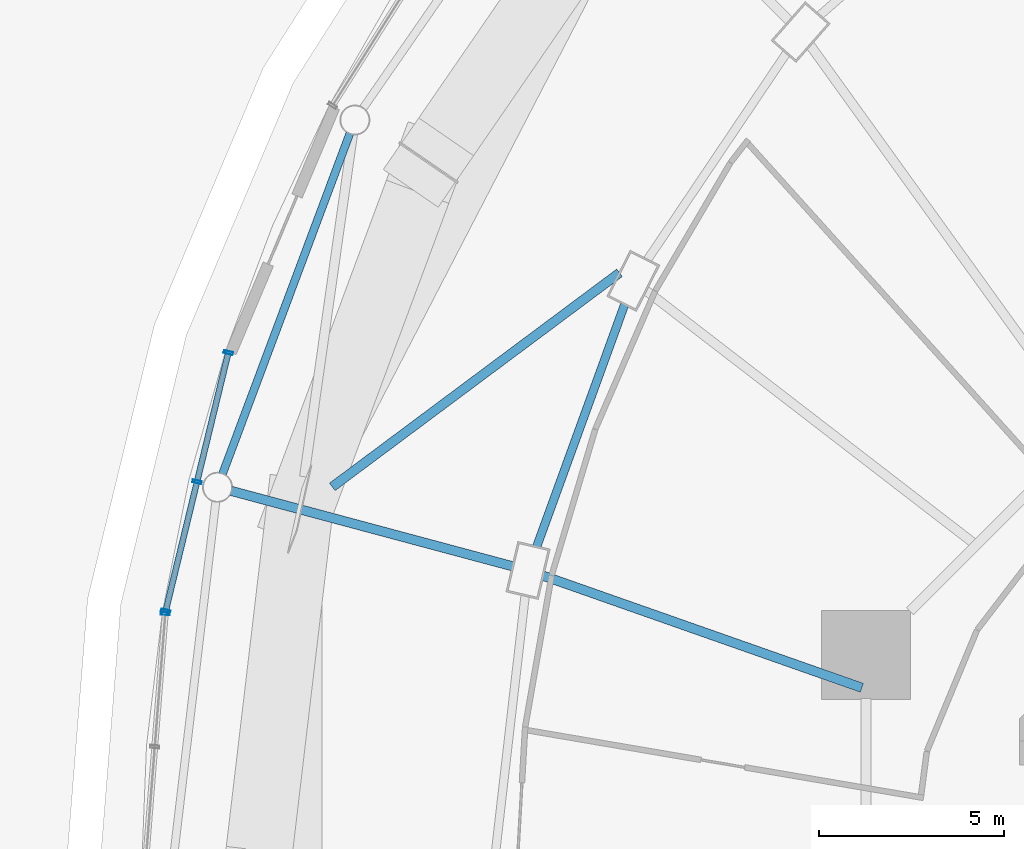
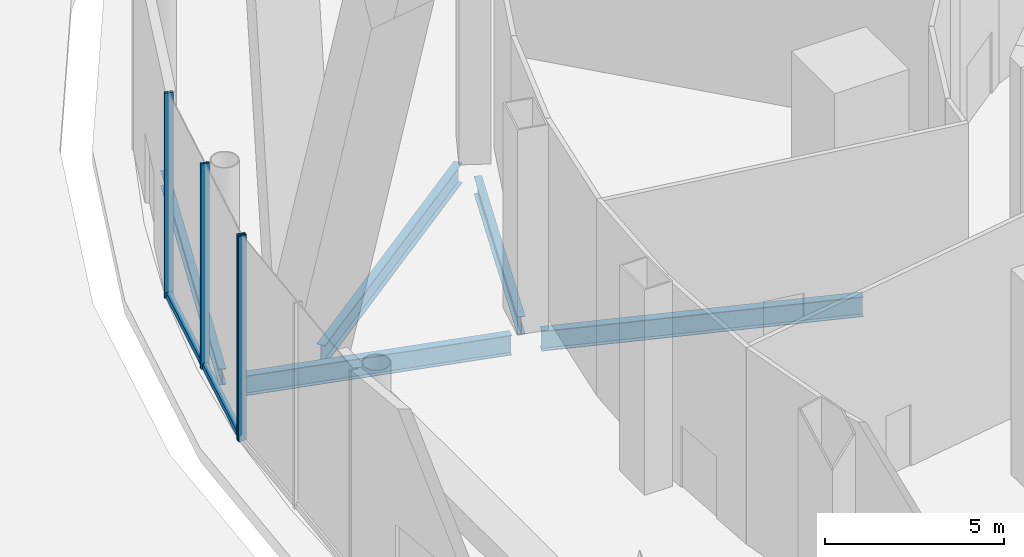
# One storey, part 26 of 67: 5 beams, 5 members, 2 elements without a shape of their own.
"""IFC4 building model written with IfcOpenShell, lengths in metres."""

from ifc_helpers import new_model, si_unit, direction, frame, origin, origin_2d, place, context, subcontext, project, spatial, hollow_rectangle, i_section, extrude, material, layer, layer_set, material_profile, profile_set, type_object, element, aggregate, save


model = new_model("IFC4")

# Units and contexts
model_context = context("Model", 3, precision=1e-05, world=origin(), true_north=direction((0.0, 1.0)))
body_context = subcontext(model_context, "Body", "Model", "MODEL_VIEW")
ifc_project = project(units=[si_unit("LENGTHUNIT", "METRE"), si_unit("AREAUNIT", "SQUARE_METRE"), si_unit("VOLUMEUNIT", "CUBIC_METRE"), si_unit("PLANEANGLEUNIT", "RADIAN"), si_unit("MASSUNIT", "GRAM", prefix="KILO")], contexts=[model_context])

# Site, building, storey
site_placement = place(None, origin())
site = spatial("IfcSite", under=ifc_project, at=site_placement, CompositionType="ELEMENT")
building_placement = place(site_placement, origin())
building = spatial("IfcBuilding", under=site, at=building_placement, Name="Nagisa Residences", CompositionType="ELEMENT")
storey_placement = place(building_placement, origin())
storey = spatial("IfcBuildingStorey", under=building, at=storey_placement, Name="L00", CompositionType="ELEMENT", Elevation=0.0)

# Beams
ifc_material_1 = material(Name="Steel ASTM A572 Gr 50", Category="steel")
ifc_material_profile_1 = material_profile(ifc_material_1, i_section(OverallWidth=0.2529296875, OverallDepth=0.677978515625, WebThickness=0.01171875, FlangeThickness=0.016357421875, at=origin_2d()), Name="W690x125")
ifc_profile_set_1 = profile_set([ifc_material_profile_1], Name="Steel ASTM A572 Gr 50")
beam_type_1 = type_object("IfcBeamType", Name="Atrium outer beam W690x125", PredefinedType="BEAM", material=ifc_profile_set_1)
beam_1_placement = place(storey_placement, frame((-21.45458984375, 16.46533203125, -0.739013671875), z_axis=(-0.801830772461, -0.597551179678, 0.0), x_axis=(0.597551179678, -0.801830772461, 0.0)))
element("IfcBeam", 1, at=beam_1_placement, inside=storey, type_object=beam_type_1, Name="beam:L00:er11a", PredefinedType="BEAM", context=body_context, shape_type="SweptSolid", body=[
    extrude(i_section(OverallWidth=0.2529296875, OverallDepth=0.677978515625, WebThickness=0.01171875, FlangeThickness=0.016357421875, at=origin_2d()), origin(), (0.0, 0.0, 1.0), 9.693603515625),
])
beam_2_placement = place(storey_placement, frame((-24.344482421875, 8.52294921875, -0.739013671875), z_axis=(-0.965928422324, 0.258809356376, 0.0), x_axis=(-0.258809356376, -0.965928422324, 0.0)))
element("IfcBeam", 2, at=beam_2_placement, inside=storey, type_object=beam_type_1, Name="beam:L00:er12", PredefinedType="BEAM", context=body_context, shape_type="SweptSolid", body=[
    extrude(i_section(OverallWidth=0.2529296875, OverallDepth=0.677978515625, WebThickness=0.01171875, FlangeThickness=0.016357421875, at=origin_2d()), origin(), (0.0, 0.0, 1.0), 7.88330078125),
])
ifc_material_2 = material(Name="Steel ASTM A572 Gr 50", Category="steel")
ifc_material_profile_2 = material_profile(ifc_material_2, i_section(OverallWidth=0.214111328125, OverallDepth=0.549072265625, WebThickness=0.0146484375, FlangeThickness=0.023681640625, at=origin_2d()), Name="W530x138")
ifc_profile_set_2 = profile_set([ifc_material_profile_2], Name="Steel ASTM A572 Gr 50")
beam_type_2 = type_object("IfcBeamType", Name="Atrium ring beam W530x138", PredefinedType="BEAM", material=ifc_profile_set_2)
beam_3_placement = place(storey_placement, frame((-28.75146484375, 20.238037109375, -0.674560546875), z_axis=(-0.350304540877, -0.936635857012, 0.0), x_axis=(0.936635857012, -0.350304540877, 0.0)))
element("IfcBeam", 3, at=beam_3_placement, inside=storey, type_object=beam_type_2, Name="beam:L00:ab11", PredefinedType="BEAM", context=body_context, shape_type="SweptSolid", body=[
    extrude(i_section(OverallWidth=0.214111328125, OverallDepth=0.549072265625, WebThickness=0.0146484375, FlangeThickness=0.023681640625, at=origin_2d()), origin(), (0.0, 0.0, 1.0), 9.8359375),
])

# Curtain wall, members
ifc_material_3 = material(Name="Stainless steel curtain wall system", Category="steel")
ifc_layer = layer(ifc_material_3, 0.159912109375)
ifc_layer_set = layer_set([ifc_layer], Name="CW3 CURTAIN WALL")
curtain_wall_type = type_object("IfcCurtainWallType", Name="CW3 CURTAIN WALL", PredefinedType="NOTDEFINED", material=ifc_layer_set)
curtain_wall_1_placement = place(storey_placement, origin())
curtain_wall_1 = element("IfcCurtainWall", 4, at=curtain_wall_1_placement, inside=storey, type_object=curtain_wall_type, Name="cw:CW3:L00:16", PredefinedType="NOTDEFINED")
ifc_material_4 = material(Name="Stainless steel", Category="steel")
ifc_material_profile_3 = material_profile(ifc_material_4, hollow_rectangle(XDim=0.25, YDim=0.080078125, WallThickness=0.008056640625, at=origin_2d()), Name="CW3 MULLION 250x80")
ifc_profile_set_3 = profile_set([ifc_material_profile_3], Name="Stainless steel")
member_type_1 = type_object("IfcMemberType", Name="CW3 MULLION 250x80", PredefinedType="MULLION", material=ifc_profile_set_3)
member_1_placement = place(storey_placement, frame((-32.0400390625, 14.30712890625, 0.0), z_axis=(0.0, 0.0, 1.0), x_axis=(0.971848775146, -0.235605514043, 0.0)))
member_1 = element("IfcMember", 5, at=member_1_placement, type_object=member_type_1, Name="CW3 mullion", PredefinedType="MULLION", context=body_context, shape_type="SweptSolid", body=[
    extrude(hollow_rectangle(XDim=0.25, YDim=0.080078125, WallThickness=0.008056640625, at=origin_2d()), origin(), (0.0, 0.0, 1.0), 7.0),
])
member_2_placement = place(storey_placement, frame((-32.8876953125, 10.810302734375, 0.0), z_axis=(0.0, 0.0, 1.0), x_axis=(0.971848775146, -0.235605514043, 0.0)))
member_2 = element("IfcMember", 6, at=member_2_placement, type_object=member_type_1, Name="CW3 mullion", PredefinedType="MULLION", context=body_context, shape_type="SweptSolid", body=[
    extrude(hollow_rectangle(XDim=0.25, YDim=0.080078125, WallThickness=0.008056640625, at=origin_2d()), origin(), (0.0, 0.0, 1.0), 7.0),
])
member_3_placement = place(storey_placement, frame((-33.735595703125, 7.313232421875, 0.0), z_axis=(0.0, 0.0, 1.0), x_axis=(0.971848775146, -0.235605514043, 0.0)))
member_3 = element("IfcMember", 7, at=member_3_placement, type_object=member_type_1, Name="CW3 mullion", PredefinedType="MULLION", context=body_context, shape_type="SweptSolid", body=[
    extrude(hollow_rectangle(XDim=0.25, YDim=0.080078125, WallThickness=0.008056640625, at=origin_2d()), origin(), (0.0, 0.0, 1.0), 7.0),
])

# Curtain wall, member
curtain_wall_2_placement = place(storey_placement, origin())
curtain_wall_2 = element("IfcCurtainWall", 8, at=curtain_wall_2_placement, inside=storey, type_object=curtain_wall_type, Name="cw:CW3:L00:17", PredefinedType="NOTDEFINED")
member_4_placement = place(storey_placement, frame((-33.74609375, 7.2470703125, 0.0), z_axis=(0.0, 0.0, 1.0), x_axis=(0.996881777235, -0.078909582539, 0.0)))
member_4 = element("IfcMember", 9, at=member_4_placement, type_object=member_type_1, Name="CW3 mullion", PredefinedType="MULLION", context=body_context, shape_type="SweptSolid", body=[
    extrude(hollow_rectangle(XDim=0.25, YDim=0.080078125, WallThickness=0.008056640625, at=origin_2d()), origin(), (0.0, 0.0, 1.0), 7.0),
])
aggregate(curtain_wall_2, [member_4])

# Member
ifc_material_5 = material(Name="Stainless steel", Category="steel")
ifc_material_profile_4 = material_profile(ifc_material_5, hollow_rectangle(XDim=0.159912109375, YDim=0.199951171875, WallThickness=0.008056640625, at=origin_2d()), Name="CW3 TRANSOM 160x200")
ifc_profile_set_4 = profile_set([ifc_material_profile_4], Name="Stainless steel")
member_type_2 = type_object("IfcMemberType", Name="CW3 TRANSOM 160x200", PredefinedType="USERDEFINED", material=ifc_profile_set_4)
member_5_placement = place(storey_placement, frame((-32.030517578125, 14.345947265625, 0.10009765625), z_axis=(-0.235605787455, -0.971848708863, 0.0), x_axis=(0.971848708863, -0.235605787455, 0.0)))
member_5 = element("IfcMember", 10, at=member_5_placement, type_object=member_type_2, Name="CW3 transom", ObjectType="TRANSOM", PredefinedType="USERDEFINED", context=body_context, shape_type="SweptSolid", body=[
    extrude(hollow_rectangle(XDim=0.159912109375, YDim=0.199951171875, WallThickness=0.008056640625, at=origin_2d()), origin(), (0.0, 0.0, 1.0), 7.2763671875),
])

aggregate(curtain_wall_1, [member_1, member_2, member_3, member_5])

# Beams
ifc_material_6 = material(Name="Steel ASTM A572 Gr 50", Category="steel")
ifc_material_profile_5 = material_profile(ifc_material_6, i_section(OverallWidth=0.22802734375, OverallDepth=0.60302734375, WebThickness=0.010498046875, FlangeThickness=0.014892578125, at=origin_2d()), Name="W610x101")
ifc_profile_set_5 = profile_set([ifc_material_profile_5], Name="Steel ASTM A572 Gr 50")
beam_type_3 = type_object("IfcBeamType", Name="Perimeter ring beam W610x101", PredefinedType="BEAM", material=ifc_profile_set_5)
beam_4_placement = place(storey_placement, frame((-21.315673828125, 15.60595703125, -0.701416015625), z_axis=(-0.341411143183, -0.939914055279, 0.0), x_axis=(0.939914055279, -0.341411143183, 0.0)))
element("IfcBeam", 11, at=beam_4_placement, inside=storey, type_object=beam_type_3, Name="beam:L00:pb11", PredefinedType="BEAM", context=body_context, shape_type="SweptSolid", body=[
    extrude(i_section(OverallWidth=0.22802734375, OverallDepth=0.60302734375, WebThickness=0.010498046875, FlangeThickness=0.014892578125, at=origin_2d()), origin(), (0.0, 0.0, 1.0), 6.96923828125),
])
ifc_material_7 = material(Name="Steel ASTM A572 Gr 50", Category="steel")
ifc_material_profile_6 = material_profile(ifc_material_7, i_section(OverallWidth=0.25390625, OverallDepth=0.68408203125, WebThickness=0.012451171875, FlangeThickness=0.018798828125, at=origin_2d()), Name="W690x140")
ifc_profile_set_6 = profile_set([ifc_material_profile_6], Name="Steel ASTM A572 Gr 50")
beam_type_4 = type_object("IfcBeamType", Name="Radial beam W690x140", PredefinedType="BEAM", material=ifc_profile_set_6)
beam_5_placement = place(storey_placement, frame((-23.520751953125, 8.26806640625, -0.741943359375), z_axis=(0.943414535235, -0.331615763659, 0.0), x_axis=(0.331615763659, 0.943414535235, 0.0)))
element("IfcBeam", 12, at=beam_5_placement, inside=storey, type_object=beam_type_4, Name="beam:L00:rb12", PredefinedType="BEAM", context=body_context, shape_type="SweptSolid", body=[
    extrude(i_section(OverallWidth=0.25390625, OverallDepth=0.68408203125, WebThickness=0.012451171875, FlangeThickness=0.018798828125, at=origin_2d()), origin(), (0.0, 0.0, 1.0), 9.142333984375),
])

save(model, "model.ifc")
